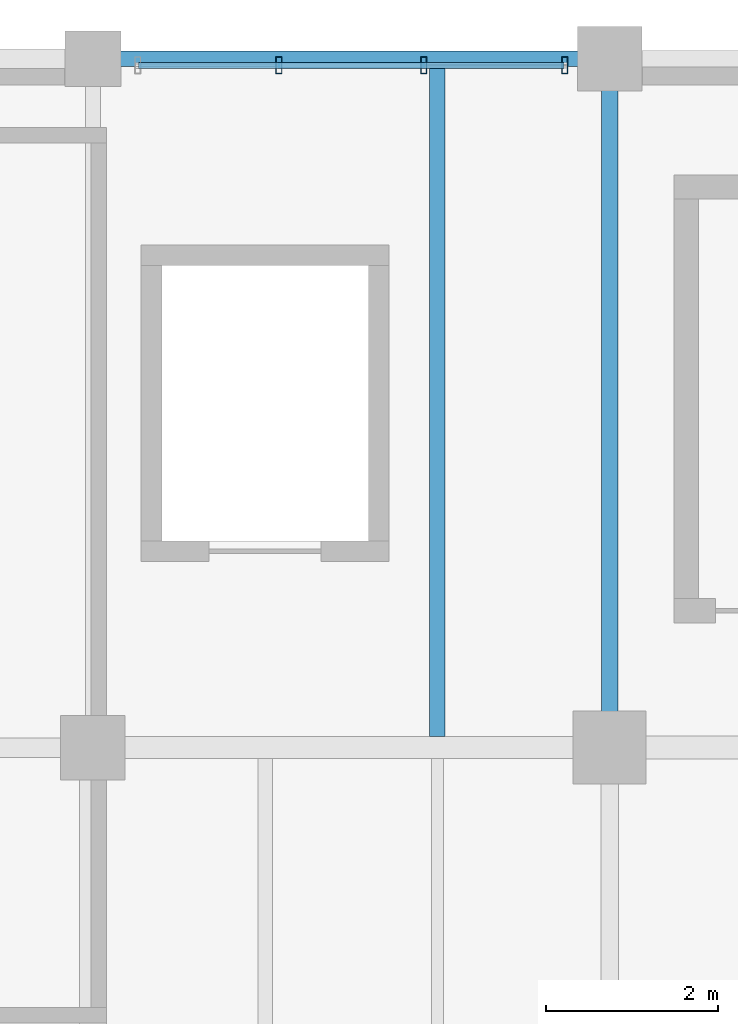
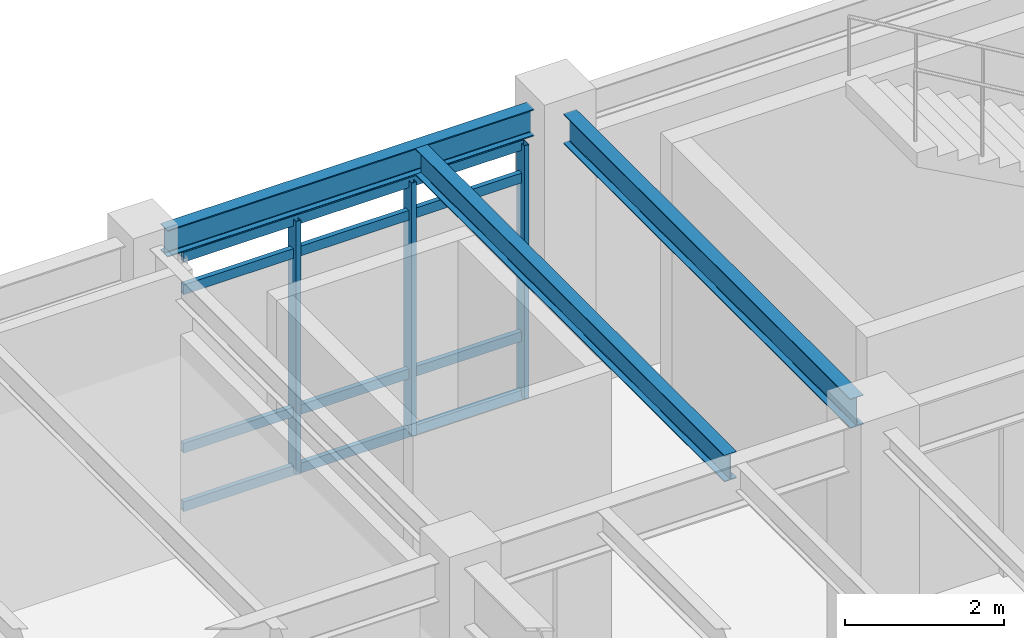
# One storey, part 123 of 168: 7 members, 3 beams, 1 element without a shape of its own.
"""IFC4 building model written with IfcOpenShell, lengths in metres."""

from ifc_helpers import new_model, si_unit, direction, frame, origin, origin_2d, place, context, subcontext, project, spatial, hollow_rectangle, i_section, extrude, material, material_profile, profile_set, type_object, element, aggregate, save


model = new_model("IFC4")

# Units and contexts
model_context = context("Model", 3, precision=1e-05, world=origin(), true_north=direction((0.0, 1.0)))
body_context = subcontext(model_context, "Body", "Model", "MODEL_VIEW")
ifc_project = project(units=[si_unit("LENGTHUNIT", "METRE"), si_unit("AREAUNIT", "SQUARE_METRE"), si_unit("VOLUMEUNIT", "CUBIC_METRE"), si_unit("PLANEANGLEUNIT", "RADIAN"), si_unit("MASSUNIT", "GRAM", prefix="KILO"), si_unit("THERMODYNAMICTEMPERATUREUNIT", "KELVIN"), si_unit("POWERUNIT", "WATT")], contexts=[model_context])

# Site, building, storey
site_placement = place(None, origin())
site = spatial("IfcSite", under=ifc_project, at=site_placement, CompositionType="ELEMENT")
building_placement = place(site_placement, origin())
building = spatial("IfcBuilding", under=site, at=building_placement, Name="Tepalcoro Natatorium and Aquatics Centre", CompositionType="ELEMENT")
storey_placement = place(building_placement, frame((0.0, 0.0, 10.199951171875)))
storey = spatial("IfcBuildingStorey", under=building, at=storey_placement, Name="L02", CompositionType="ELEMENT", Elevation=10.199951171875)

# Beam
ifc_material_1 = material(Name="Steel ASTM A992 Grade 50 (Fy 345 MPa)", Category="steel")
ifc_material_profile_1 = material_profile(ifc_material_1, i_section(OverallWidth=0.19091796875, OverallDepth=0.45703125, WebThickness=0.009033203125, FlangeThickness=0.013916015625, FilletRadius=0.013916015625, at=origin_2d()), Name="W18X50")
ifc_profile_set_1 = profile_set([ifc_material_profile_1], Name="Steel ASTM A992 Grade 50 (Fy 345 MPa)")
beam_type_1 = type_object("IfcBeamType", Name="BM_W18x50", PredefinedType="BEAM", material=ifc_profile_set_1)
beam_1_placement = place(storey_placement, frame((165.0, 110.409912109375, 4.136474609375), z_axis=(0.0, 1.0, 0.0), x_axis=(-1.0, 0.0, 0.0)))
element("IfcBeam", 1, at=beam_1_placement, inside=storey, type_object=beam_type_1, Name="V5 L02 Grid Girder Y", PredefinedType="BEAM", context=body_context, shape_type="SweptSolid", body=[
    extrude(i_section(OverallWidth=0.19091796875, OverallDepth=0.45703125, WebThickness=0.009033203125, FlangeThickness=0.013916015625, FilletRadius=0.013916015625, at=origin_2d()), origin(), (0.0, 0.0, 1.0), 7.22998046875),
])

# Curtain wall, members
ifc_material_2 = material(Name="Bronze-Anodised Extruded Aluminium Alloy EN AW-6063 T6", Category="aluminium")
curtain_wall_type = type_object("IfcCurtainWallType", Name="CW_V4_VILLAGE", PredefinedType="USERDEFINED", material=ifc_material_2)
curtain_wall_placement = place(storey_placement, origin())
curtain_wall = element("IfcCurtainWall", 2, at=curtain_wall_placement, inside=storey, type_object=curtain_wall_type, Name="V5 L02 N Unitised Curtain Wall Bay 8", ObjectType="UNITISED STOREFRONT", PredefinedType="USERDEFINED")
ifc_material_profile_2 = material_profile(ifc_material_2, hollow_rectangle(XDim=0.070068359375, YDim=0.199951171875, WallThickness=0.0048828125, at=origin_2d()), Name="AL70X200X5")
ifc_profile_set_2 = profile_set([ifc_material_profile_2], Name="Bronze-Anodised Extruded Aluminium Alloy EN AW-6063 T6")
member_type_1 = type_object("IfcMemberType", Name="CW_MUL_70x200", PredefinedType="MULLION", material=ifc_profile_set_2)
member_1_placement = place(storey_placement, frame((161.159912109375, 117.923828125, 0.02001953125), z_axis=(0.0, 0.0, 1.0), x_axis=(1.0, 0.0, 0.0)))
member_1 = element("IfcMember", 3, at=member_1_placement, type_object=member_type_1, Name="CW_V4_VILLAGE Curtain Wall Mullion", PredefinedType="MULLION", context=body_context, shape_type="SweptSolid", body=[
    extrude(hollow_rectangle(XDim=0.070068359375, YDim=0.199951171875, WallThickness=0.0048828125, at=origin_2d()), origin(), (0.0, 0.0, 1.0), 3.89697265625),
])
member_2_placement = place(storey_placement, frame((162.840087890625, 117.923828125, 0.02001953125), z_axis=(0.0, 0.0, 1.0), x_axis=(1.0, 0.0, 0.0)))
member_2 = element("IfcMember", 4, at=member_2_placement, type_object=member_type_1, Name="CW_V4_VILLAGE Curtain Wall Mullion", PredefinedType="MULLION", context=body_context, shape_type="SweptSolid", body=[
    extrude(hollow_rectangle(XDim=0.070068359375, YDim=0.199951171875, WallThickness=0.0048828125, at=origin_2d()), origin(), (0.0, 0.0, 1.0), 3.89697265625),
])
member_3_placement = place(storey_placement, frame((164.47998046875, 117.923828125, 0.02001953125), z_axis=(0.0, 0.0, 1.0), x_axis=(1.0, 0.0, 0.0)))
member_3 = element("IfcMember", 5, at=member_3_placement, type_object=member_type_1, Name="CW_V4_VILLAGE Curtain Wall Mullion", PredefinedType="MULLION", context=body_context, shape_type="SweptSolid", body=[
    extrude(hollow_rectangle(XDim=0.070068359375, YDim=0.199951171875, WallThickness=0.0048828125, at=origin_2d()), origin(), (0.0, 0.0, 1.0), 3.89697265625),
])
ifc_material_profile_3 = material_profile(ifc_material_2, hollow_rectangle(XDim=0.070068359375, YDim=0.14990234375, WallThickness=0.00390625, at=origin_2d()), Name="AL70X150X4")
ifc_profile_set_3 = profile_set([ifc_material_profile_3], Name="Bronze-Anodised Extruded Aluminium Alloy EN AW-6063 T6")
member_type_2 = type_object("IfcMemberType", Name="CW_TRN_70x150", PredefinedType="USERDEFINED", material=ifc_profile_set_3)
member_4_placement = place(storey_placement, frame((159.530029296875, 117.923828125, 0.050048828125), z_axis=(1.0, 0.0, 0.0), x_axis=(0.0, 1.0, 0.0)))
member_4 = element("IfcMember", 6, at=member_4_placement, type_object=member_type_2, Name="CW_V4_VILLAGE Curtain Wall Transom", ObjectType="TRANSOM", PredefinedType="USERDEFINED", context=body_context, shape_type="SweptSolid", body=[
    extrude(hollow_rectangle(XDim=0.070068359375, YDim=0.14990234375, WallThickness=0.00390625, at=origin_2d()), origin(), (0.0, 0.0, 1.0), 4.93994140625),
])
member_5_placement = place(storey_placement, frame((159.530029296875, 117.923828125, 0.949951171875), z_axis=(1.0, 0.0, 0.0), x_axis=(0.0, 1.0, 0.0)))
member_5 = element("IfcMember", 7, at=member_5_placement, type_object=member_type_2, Name="CW_V4_VILLAGE Curtain Wall Transom", ObjectType="TRANSOM", PredefinedType="USERDEFINED", context=body_context, shape_type="SweptSolid", body=[
    extrude(hollow_rectangle(XDim=0.070068359375, YDim=0.14990234375, WallThickness=0.00390625, at=origin_2d()), origin(), (0.0, 0.0, 1.0), 4.93994140625),
])
member_6_placement = place(storey_placement, frame((159.530029296875, 117.923828125, 3.386962890625), z_axis=(1.0, 0.0, 0.0), x_axis=(0.0, 1.0, 0.0)))
member_6 = element("IfcMember", 8, at=member_6_placement, type_object=member_type_2, Name="CW_V4_VILLAGE Curtain Wall Transom", ObjectType="TRANSOM", PredefinedType="USERDEFINED", context=body_context, shape_type="SweptSolid", body=[
    extrude(hollow_rectangle(XDim=0.070068359375, YDim=0.14990234375, WallThickness=0.00390625, at=origin_2d()), origin(), (0.0, 0.0, 1.0), 4.93994140625),
])
member_7_placement = place(storey_placement, frame((159.530029296875, 117.923828125, 3.886962890625), z_axis=(1.0, 0.0, 0.0), x_axis=(0.0, 1.0, 0.0)))
member_7 = element("IfcMember", 9, at=member_7_placement, type_object=member_type_2, Name="CW_V4_VILLAGE Curtain Wall Transom", ObjectType="TRANSOM", PredefinedType="USERDEFINED", context=body_context, shape_type="SweptSolid", body=[
    extrude(hollow_rectangle(XDim=0.070068359375, YDim=0.14990234375, WallThickness=0.00390625, at=origin_2d()), origin(), (0.0, 0.0, 1.0), 4.93994140625),
])
aggregate(curtain_wall, [member_1, member_2, member_3, member_4, member_5, member_6, member_7])

# Beams
ifc_material_profile_4 = material_profile(ifc_material_1, i_section(OverallWidth=0.178955078125, OverallDepth=0.409912109375, WebThickness=0.009033203125, FlangeThickness=0.013916015625, FilletRadius=0.013916015625, at=origin_2d()), Name="W16X45")
ifc_profile_set_4 = profile_set([ifc_material_profile_4], Name="Steel ASTM A992 Grade 50 (Fy 345 MPa)")
beam_type_2 = type_object("IfcBeamType", Name="JS_W16x45", PredefinedType="JOIST", material=ifc_profile_set_4)
beam_2_placement = place(storey_placement, frame((163.0, 110.126953125, 4.16015625), z_axis=(0.0, 1.0, 0.0), x_axis=(-1.0, 0.0, 0.0)))
element("IfcBeam", 10, at=beam_2_placement, inside=storey, type_object=beam_type_2, Name="V5 L02 Floor Joist", PredefinedType="JOIST", context=body_context, shape_type="SweptSolid", body=[
    extrude(i_section(OverallWidth=0.178955078125, OverallDepth=0.409912109375, WebThickness=0.009033203125, FlangeThickness=0.013916015625, FilletRadius=0.013916015625, at=origin_2d()), origin(), (0.0, 0.0, 1.0), 7.782958984375),
])
ifc_material_profile_5 = material_profile(ifc_material_1, i_section(OverallWidth=0.179931640625, OverallDepth=0.4130859375, WebThickness=0.010009765625, FlangeThickness=0.01611328125, FilletRadius=0.013916015625, at=origin_2d()), Name="W16X50")
ifc_profile_set_5 = profile_set([ifc_material_profile_5], Name="Steel ASTM A992 Grade 50 (Fy 345 MPa)")
beam_type_3 = type_object("IfcBeamType", Name="SP_HSS300x200x12", PredefinedType="SPANDREL", material=ifc_profile_set_5)
beam_3_placement = place(storey_placement, frame((159.31005859375, 118.0, 4.158447265625), z_axis=(1.0, 0.0, 0.0), x_axis=(0.0, 1.0, 0.0)))
element("IfcBeam", 11, at=beam_3_placement, inside=storey, type_object=beam_type_3, Name="V5 L02 Grid Girder X", PredefinedType="SPANDREL", context=body_context, shape_type="SweptSolid", body=[
    extrude(i_section(OverallWidth=0.179931640625, OverallDepth=0.4130859375, WebThickness=0.010009765625, FlangeThickness=0.01611328125, FilletRadius=0.013916015625, at=origin_2d()), origin(), (0.0, 0.0, 1.0), 5.329833984375),
])

save(model, "model.ifc")
